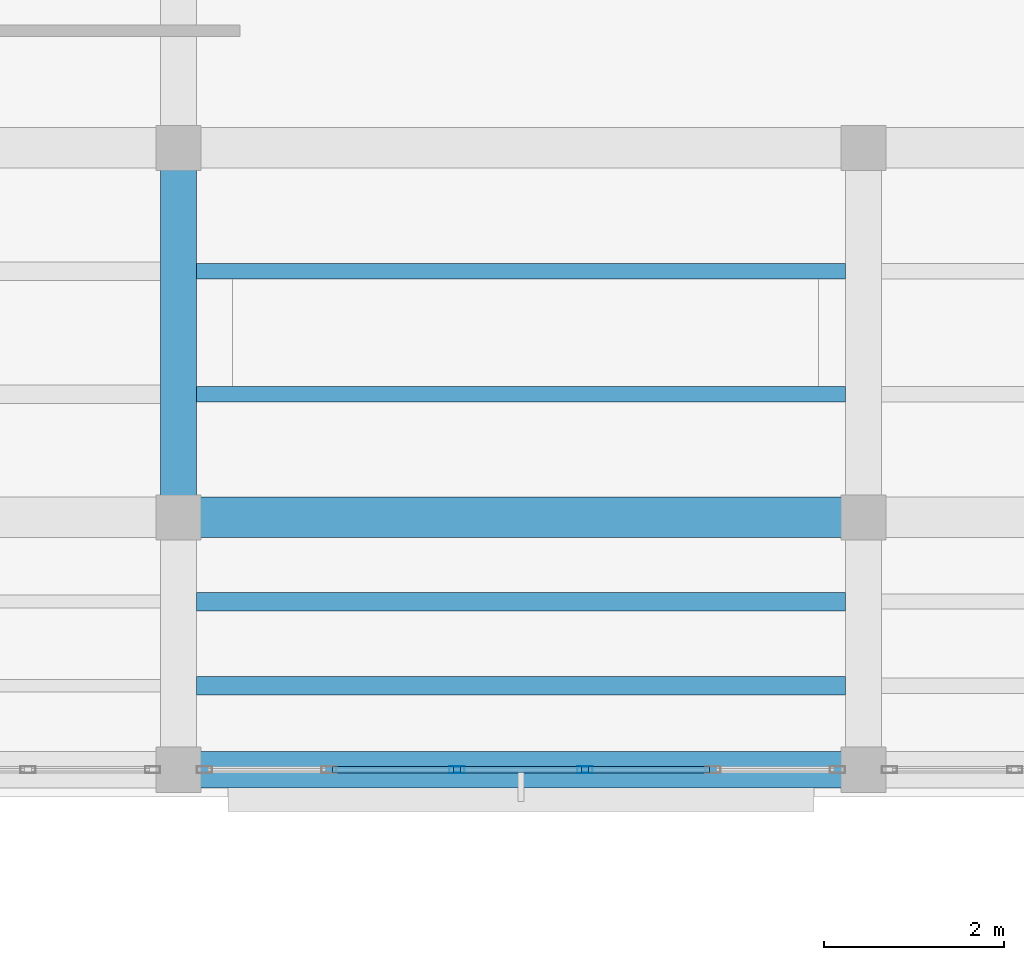
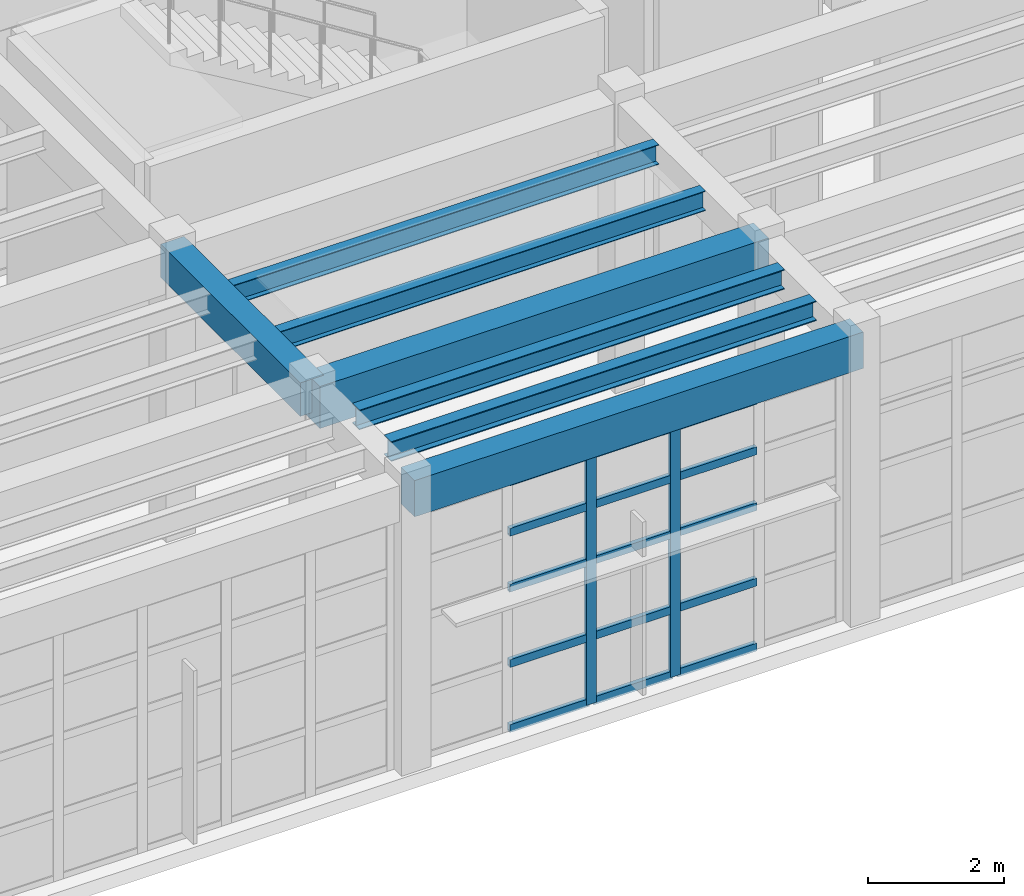
# One storey, part 22 of 103: 17 members, 7 beams, 1 element without a shape of its own.
"""IFC4 building model written with IfcOpenShell, lengths in metres."""

from ifc_helpers import new_model, si_unit, direction, frame, origin, origin_2d, place, context, subcontext, project, spatial, rectangle, hollow_rectangle, i_section, extrude, material, layer, layer_set, material_profile, profile_set, type_object, element, aggregate, save


model = new_model("IFC4")

# Units and contexts
model_context = context("Model", 3, precision=1e-05, world=origin(), true_north=direction((0.0, 1.0)))
body_context = subcontext(model_context, "Body", "Model", "MODEL_VIEW")
ifc_project = project(units=[si_unit("LENGTHUNIT", "METRE"), si_unit("AREAUNIT", "SQUARE_METRE"), si_unit("VOLUMEUNIT", "CUBIC_METRE"), si_unit("PLANEANGLEUNIT", "RADIAN"), si_unit("MASSUNIT", "GRAM", prefix="KILO")], contexts=[model_context])

# Site, building, storey
site_placement = place(None, origin())
site = spatial("IfcSite", under=ifc_project, at=site_placement, CompositionType="ELEMENT")
building_placement = place(site_placement, origin())
building = spatial("IfcBuilding", under=site, at=building_placement, Name="Candilejo Ridge Gondola Terminal", CompositionType="ELEMENT")
storey_placement = place(building_placement, frame((0.0, 0.0, 9.0)))
storey = spatial("IfcBuildingStorey", under=building, at=storey_placement, Name="L02", CompositionType="ELEMENT", Elevation=9.0)

# Curtain wall, members
ifc_material_1 = material(Name="Anodised aluminium AA 6063-T6", Category="aluminium")
ifc_layer = layer(ifc_material_1, 0.169921875)
ifc_layer_set = layer_set([ifc_layer], Name="ARC-CW-CONCOURSE-3600-710X449")
curtain_wall_type = type_object("IfcCurtainWallType", Name="ARC-CW-CONCOURSE-3600-710X449", PredefinedType="NOTDEFINED", material=ifc_layer_set)
curtain_wall_placement = place(storey_placement, origin())
curtain_wall = element("IfcCurtainWall", 1, at=curtain_wall_placement, inside=storey, type_object=curtain_wall_type, Name="Curtain wall V3 L02-085", PredefinedType="NOTDEFINED")
ifc_material_2 = material(Name="Anodised aluminium AA 6063-T6", Category="aluminium")
ifc_material_profile_1 = material_profile(ifc_material_2, hollow_rectangle(XDim=0.074951171875, YDim=0.169921875, WallThickness=0.00390625, at=origin_2d()))
ifc_profile_set_1 = profile_set([ifc_material_profile_1], Name="Anodised aluminium AA 6063-T6")
member_type_1 = type_object("IfcMemberType", Name="ARC-CW-MULLION", PredefinedType="MULLION", material=ifc_profile_set_1)
member_1_placement = place(storey_placement, frame((97.68994140625, 22.89990234375, 0.0), z_axis=(0.0, 0.0, 1.0), x_axis=(0.0, 1.0, 0.0)))
member_1 = element("IfcMember", 2, at=member_1_placement, type_object=member_type_1, Name="CW-71X44 mullion 3", PredefinedType="MULLION", context=body_context, shape_type="SweptSolid", body=[
    extrude(hollow_rectangle(XDim=0.074951171875, YDim=0.169921875, WallThickness=0.00390625, at=origin_2d()), origin(), (0.0, 0.0, 1.0), 4.489990234375),
])
member_2_placement = place(storey_placement, frame((99.110107421875, 22.89990234375, 0.0), z_axis=(0.0, 0.0, 1.0), x_axis=(0.0, 1.0, 0.0)))
member_2 = element("IfcMember", 3, at=member_2_placement, type_object=member_type_1, Name="CW-71X44 mullion 4", PredefinedType="MULLION", context=body_context, shape_type="SweptSolid", body=[
    extrude(hollow_rectangle(XDim=0.074951171875, YDim=0.169921875, WallThickness=0.00390625, at=origin_2d()), origin(), (0.0, 0.0, 1.0), 4.489990234375),
])
ifc_material_3 = material(Name="Anodised aluminium AA 6063-T6", Category="aluminium")
ifc_material_profile_2 = material_profile(ifc_material_3, hollow_rectangle(XDim=0.074951171875, YDim=0.139892578125, WallThickness=0.00390625, at=origin_2d()))
ifc_profile_set_2 = profile_set([ifc_material_profile_2], Name="Anodised aluminium AA 6063-T6")
member_type_2 = type_object("IfcMemberType", Name="ARC-CW-TRANSOM", PredefinedType="USERDEFINED", material=ifc_profile_set_2)
member_3_placement = place(storey_placement, frame((96.3076171875, 22.89990234375, 0.03759765625), z_axis=(1.0, 0.0, 0.0), x_axis=(0.0, 1.0, 0.0)))
member_3 = element("IfcMember", 4, at=member_3_placement, type_object=member_type_2, Name="CW-71X44 transom 2.1", ObjectType="TRANSOM", PredefinedType="USERDEFINED", context=body_context, shape_type="SweptSolid", body=[
    extrude(hollow_rectangle(XDim=0.074951171875, YDim=0.139892578125, WallThickness=0.00390625, at=origin_2d()), origin(), (0.0, 0.0, 1.0), 1.344970703125),
])
member_4_placement = place(storey_placement, frame((96.3076171875, 22.89990234375, 1.199951171875), z_axis=(1.0, 0.0, 0.0), x_axis=(0.0, 1.0, 0.0)))
member_4 = element("IfcMember", 5, at=member_4_placement, type_object=member_type_2, Name="CW-71X44 transom 2.2", ObjectType="TRANSOM", PredefinedType="USERDEFINED", context=body_context, shape_type="SweptSolid", body=[
    extrude(hollow_rectangle(XDim=0.074951171875, YDim=0.139892578125, WallThickness=0.00390625, at=origin_2d()), origin(), (0.0, 0.0, 1.0), 1.344970703125),
])
member_5_placement = place(storey_placement, frame((96.3076171875, 22.89990234375, 2.550048828125), z_axis=(1.0, 0.0, 0.0), x_axis=(0.0, 1.0, 0.0)))
member_5 = element("IfcMember", 6, at=member_5_placement, type_object=member_type_2, Name="CW-71X44 transom 2.3", ObjectType="TRANSOM", PredefinedType="USERDEFINED", context=body_context, shape_type="SweptSolid", body=[
    extrude(hollow_rectangle(XDim=0.074951171875, YDim=0.139892578125, WallThickness=0.00390625, at=origin_2d()), origin(), (0.0, 0.0, 1.0), 1.344970703125),
])
member_6_placement = place(storey_placement, frame((96.3076171875, 22.89990234375, 3.550048828125), z_axis=(1.0, 0.0, 0.0), x_axis=(0.0, 1.0, 0.0)))
member_6 = element("IfcMember", 7, at=member_6_placement, type_object=member_type_2, Name="CW-71X44 transom 2.4", ObjectType="TRANSOM", PredefinedType="USERDEFINED", context=body_context, shape_type="SweptSolid", body=[
    extrude(hollow_rectangle(XDim=0.074951171875, YDim=0.139892578125, WallThickness=0.00390625, at=origin_2d()), origin(), (0.0, 0.0, 1.0), 1.344970703125),
])
member_7_placement = place(storey_placement, frame((96.3076171875, 22.89990234375, 4.452392578125), z_axis=(1.0, 0.0, 0.0), x_axis=(0.0, 1.0, 0.0)))
member_7 = element("IfcMember", 8, at=member_7_placement, type_object=member_type_2, Name="CW-71X44 transom 2.5", ObjectType="TRANSOM", PredefinedType="USERDEFINED", context=body_context, shape_type="SweptSolid", body=[
    extrude(hollow_rectangle(XDim=0.074951171875, YDim=0.139892578125, WallThickness=0.00390625, at=origin_2d()), origin(), (0.0, 0.0, 1.0), 1.344970703125),
])
member_8_placement = place(storey_placement, frame((97.7275390625, 22.89990234375, 0.03759765625), z_axis=(1.0, 0.0, 0.0), x_axis=(0.0, 1.0, 0.0)))
member_8 = element("IfcMember", 9, at=member_8_placement, type_object=member_type_2, Name="CW-71X44 transom 3.1", ObjectType="TRANSOM", PredefinedType="USERDEFINED", context=body_context, shape_type="SweptSolid", body=[
    extrude(hollow_rectangle(XDim=0.074951171875, YDim=0.139892578125, WallThickness=0.00390625, at=origin_2d()), origin(), (0.0, 0.0, 1.0), 1.344970703125),
])
member_9_placement = place(storey_placement, frame((97.7275390625, 22.89990234375, 1.199951171875), z_axis=(1.0, 0.0, 0.0), x_axis=(0.0, 1.0, 0.0)))
member_9 = element("IfcMember", 10, at=member_9_placement, type_object=member_type_2, Name="CW-71X44 transom 3.2", ObjectType="TRANSOM", PredefinedType="USERDEFINED", context=body_context, shape_type="SweptSolid", body=[
    extrude(hollow_rectangle(XDim=0.074951171875, YDim=0.139892578125, WallThickness=0.00390625, at=origin_2d()), origin(), (0.0, 0.0, 1.0), 1.344970703125),
])
member_10_placement = place(storey_placement, frame((97.7275390625, 22.89990234375, 2.550048828125), z_axis=(1.0, 0.0, 0.0), x_axis=(0.0, 1.0, 0.0)))
member_10 = element("IfcMember", 11, at=member_10_placement, type_object=member_type_2, Name="CW-71X44 transom 3.3", ObjectType="TRANSOM", PredefinedType="USERDEFINED", context=body_context, shape_type="SweptSolid", body=[
    extrude(hollow_rectangle(XDim=0.074951171875, YDim=0.139892578125, WallThickness=0.00390625, at=origin_2d()), origin(), (0.0, 0.0, 1.0), 1.344970703125),
])
member_11_placement = place(storey_placement, frame((97.7275390625, 22.89990234375, 3.550048828125), z_axis=(1.0, 0.0, 0.0), x_axis=(0.0, 1.0, 0.0)))
member_11 = element("IfcMember", 12, at=member_11_placement, type_object=member_type_2, Name="CW-71X44 transom 3.4", ObjectType="TRANSOM", PredefinedType="USERDEFINED", context=body_context, shape_type="SweptSolid", body=[
    extrude(hollow_rectangle(XDim=0.074951171875, YDim=0.139892578125, WallThickness=0.00390625, at=origin_2d()), origin(), (0.0, 0.0, 1.0), 1.344970703125),
])
member_12_placement = place(storey_placement, frame((97.7275390625, 22.89990234375, 4.452392578125), z_axis=(1.0, 0.0, 0.0), x_axis=(0.0, 1.0, 0.0)))
member_12 = element("IfcMember", 13, at=member_12_placement, type_object=member_type_2, Name="CW-71X44 transom 3.5", ObjectType="TRANSOM", PredefinedType="USERDEFINED", context=body_context, shape_type="SweptSolid", body=[
    extrude(hollow_rectangle(XDim=0.074951171875, YDim=0.139892578125, WallThickness=0.00390625, at=origin_2d()), origin(), (0.0, 0.0, 1.0), 1.344970703125),
])
member_13_placement = place(storey_placement, frame((99.1474609375, 22.89990234375, 0.03759765625), z_axis=(1.0, 0.0, 0.0), x_axis=(0.0, 1.0, 0.0)))
member_13 = element("IfcMember", 14, at=member_13_placement, type_object=member_type_2, Name="CW-71X44 transom 4.1", ObjectType="TRANSOM", PredefinedType="USERDEFINED", context=body_context, shape_type="SweptSolid", body=[
    extrude(hollow_rectangle(XDim=0.074951171875, YDim=0.139892578125, WallThickness=0.00390625, at=origin_2d()), origin(), (0.0, 0.0, 1.0), 1.344970703125),
])
member_14_placement = place(storey_placement, frame((99.1474609375, 22.89990234375, 1.199951171875), z_axis=(1.0, 0.0, 0.0), x_axis=(0.0, 1.0, 0.0)))
member_14 = element("IfcMember", 15, at=member_14_placement, type_object=member_type_2, Name="CW-71X44 transom 4.2", ObjectType="TRANSOM", PredefinedType="USERDEFINED", context=body_context, shape_type="SweptSolid", body=[
    extrude(hollow_rectangle(XDim=0.074951171875, YDim=0.139892578125, WallThickness=0.00390625, at=origin_2d()), origin(), (0.0, 0.0, 1.0), 1.344970703125),
])
member_15_placement = place(storey_placement, frame((99.1474609375, 22.89990234375, 2.550048828125), z_axis=(1.0, 0.0, 0.0), x_axis=(0.0, 1.0, 0.0)))
member_15 = element("IfcMember", 16, at=member_15_placement, type_object=member_type_2, Name="CW-71X44 transom 4.3", ObjectType="TRANSOM", PredefinedType="USERDEFINED", context=body_context, shape_type="SweptSolid", body=[
    extrude(hollow_rectangle(XDim=0.074951171875, YDim=0.139892578125, WallThickness=0.00390625, at=origin_2d()), origin(), (0.0, 0.0, 1.0), 1.344970703125),
])
member_16_placement = place(storey_placement, frame((99.1474609375, 22.89990234375, 3.550048828125), z_axis=(1.0, 0.0, 0.0), x_axis=(0.0, 1.0, 0.0)))
member_16 = element("IfcMember", 17, at=member_16_placement, type_object=member_type_2, Name="CW-71X44 transom 4.4", ObjectType="TRANSOM", PredefinedType="USERDEFINED", context=body_context, shape_type="SweptSolid", body=[
    extrude(hollow_rectangle(XDim=0.074951171875, YDim=0.139892578125, WallThickness=0.00390625, at=origin_2d()), origin(), (0.0, 0.0, 1.0), 1.344970703125),
])
member_17_placement = place(storey_placement, frame((99.1474609375, 22.89990234375, 4.452392578125), z_axis=(1.0, 0.0, 0.0), x_axis=(0.0, 1.0, 0.0)))
member_17 = element("IfcMember", 18, at=member_17_placement, type_object=member_type_2, Name="CW-71X44 transom 4.5", ObjectType="TRANSOM", PredefinedType="USERDEFINED", context=body_context, shape_type="SweptSolid", body=[
    extrude(hollow_rectangle(XDim=0.074951171875, YDim=0.139892578125, WallThickness=0.00390625, at=origin_2d()), origin(), (0.0, 0.0, 1.0), 1.344970703125),
])
aggregate(curtain_wall, [member_1, member_2, member_3, member_4, member_5, member_6, member_7, member_8, member_9, member_10, member_11, member_12, member_13, member_14, member_15, member_16, member_17])

# Beams
ifc_material_4 = material(Name="Concrete f'c 35 MPa (C35/45)", Category="concrete")
ifc_material_profile_3 = material_profile(ifc_material_4, rectangle(XDim=0.39990234375, YDim=0.60009765625, at=origin_2d()))
ifc_profile_set_3 = profile_set([ifc_material_profile_3], Name="Concrete f'c 35 MPa (C35/45)")
beam_type_1 = type_object("IfcBeamType", Name="STR-BM-RC400X600", PredefinedType="BEAM", material=ifc_profile_set_3)
beam_1_placement = place(storey_placement, frame((94.60009765625, 25.699951171875, 4.875), z_axis=(0.0, 1.0, 0.0), x_axis=(-1.0, 0.0, 0.0)))
element("IfcBeam", 19, at=beam_1_placement, inside=storey, type_object=beam_type_1, Name="Beam Y V3 L02 Y05-Y06@X15", PredefinedType="BEAM", context=body_context, shape_type="SweptSolid", body=[
    extrude(rectangle(XDim=0.39990234375, YDim=0.60009765625, at=origin_2d()), origin(), (0.0, 0.0, 1.0), 4.10009765625),
])
ifc_material_5 = material(Name="Concrete f'c 35 MPa (C35/45)", Category="concrete")
ifc_material_profile_4 = material_profile(ifc_material_5, rectangle(XDim=0.449951171875, YDim=0.75, at=origin_2d()))
ifc_profile_set_4 = profile_set([ifc_material_profile_4], Name="Concrete f'c 35 MPa (C35/45)")
beam_type_2 = type_object("IfcBeamType", Name="STR-BM-RC450X750", PredefinedType="BEAM", material=ifc_profile_set_4)
beam_2_placement = place(storey_placement, frame((94.60009765625, 25.699951171875, 4.800048828125), z_axis=(1.0, 0.0, 0.0), x_axis=(0.0, 1.0, 0.0)))
element("IfcBeam", 20, at=beam_2_placement, inside=storey, type_object=beam_type_2, Name="Beam X V3 L02 X15-X16@Y05", PredefinedType="BEAM", context=body_context, shape_type="SweptSolid", body=[
    extrude(rectangle(XDim=0.449951171875, YDim=0.75, at=origin_2d()), origin(), (0.0, 0.0, 1.0), 7.599853515625),
])
ifc_material_6 = material(Name="Steel ASTM A992 Grade 50", Category="steel")
ifc_material_profile_5 = material_profile(ifc_material_6, i_section(OverallWidth=0.1708984375, OverallDepth=0.35498046875, WebThickness=0.007080078125, FlangeThickness=0.01171875, at=origin_2d()))
ifc_profile_set_5 = profile_set([ifc_material_profile_5], Name="Steel ASTM A992 Grade 50")
beam_type_3 = type_object("IfcBeamType", Name="STR-JST-W360X51", PredefinedType="JOIST", material=ifc_profile_set_5)
for number, where, z_axis, x_axis, name in (
    (21, (94.800048828125, 27.066650390625, 4.99755859375), (1.0, 0.0, 0.0), (0.0, 1.0, 0.0), "Composite joist V3 L02-0561"),
    (22, (94.800048828125, 28.433349609375, 4.99755859375), (1.0, 0.0, 0.0), (0.0, 1.0, 0.0), "Composite joist V3 L02-0562"),
):
    element("IfcBeam", number, at=place(storey_placement, frame(where, z_axis=z_axis, x_axis=x_axis)), inside=storey, type_object=beam_type_3, Name=name, PredefinedType="JOIST", context=body_context, shape_type="SweptSolid", body=[
        extrude(i_section(OverallWidth=0.1708984375, OverallDepth=0.35498046875, WebThickness=0.007080078125, FlangeThickness=0.01171875, at=origin_2d()), origin(), (0.0, 0.0, 1.0), 7.199951171875),
    ])
ifc_material_7 = material(Name="Steel ASTM A992 Grade 50", Category="steel")
ifc_material_profile_6 = material_profile(ifc_material_7, i_section(OverallWidth=0.205078125, OverallDepth=0.35400390625, WebThickness=0.009521484375, FlangeThickness=0.016845703125, at=origin_2d()))
ifc_profile_set_6 = profile_set([ifc_material_profile_6], Name="Steel ASTM A992 Grade 50")
beam_type_4 = type_object("IfcBeamType", Name="STR-JST-W360X79", PredefinedType="JOIST", material=ifc_profile_set_6)
for number, where, z_axis, x_axis, name in (
    (23, (94.800048828125, 23.833251953125, 4.998046875), (1.0, 0.0, 0.0), (0.0, 1.0, 0.0), "Composite joist V3 L02-0559"),
    (24, (94.800048828125, 24.7666015625, 4.998046875), (1.0, 0.0, 0.0), (0.0, 1.0, 0.0), "Composite joist V3 L02-0560"),
):
    element("IfcBeam", number, at=place(storey_placement, frame(where, z_axis=z_axis, x_axis=x_axis)), inside=storey, type_object=beam_type_4, Name=name, PredefinedType="JOIST", context=body_context, shape_type="SweptSolid", body=[
        extrude(i_section(OverallWidth=0.205078125, OverallDepth=0.35400390625, WebThickness=0.009521484375, FlangeThickness=0.016845703125, at=origin_2d()), origin(), (0.0, 0.0, 1.0), 7.199951171875),
    ])
ifc_material_8 = material(Name="Concrete f'c 35 MPa (C35/45)", Category="concrete")
ifc_material_profile_7 = material_profile(ifc_material_8, rectangle(XDim=0.39990234375, YDim=0.64990234375, at=origin_2d()))
ifc_profile_set_7 = profile_set([ifc_material_profile_7], Name="Concrete f'c 35 MPa (C35/45)")
beam_type_5 = type_object("IfcBeamType", Name="STR-SPN-RC400X650", PredefinedType="SPANDREL", material=ifc_profile_set_7)
beam_3_placement = place(storey_placement, frame((94.60009765625, 22.89990234375, 4.85009765625), z_axis=(1.0, 0.0, 0.0), x_axis=(0.0, 1.0, 0.0)))
element("IfcBeam", 25, at=beam_3_placement, inside=storey, type_object=beam_type_5, Name="Beam X V3 L02 X15-X16@Y04", PredefinedType="SPANDREL", context=body_context, shape_type="SweptSolid", body=[
    extrude(rectangle(XDim=0.39990234375, YDim=0.64990234375, at=origin_2d()), origin(), (0.0, 0.0, 1.0), 7.599853515625),
])

save(model, "model.ifc")
